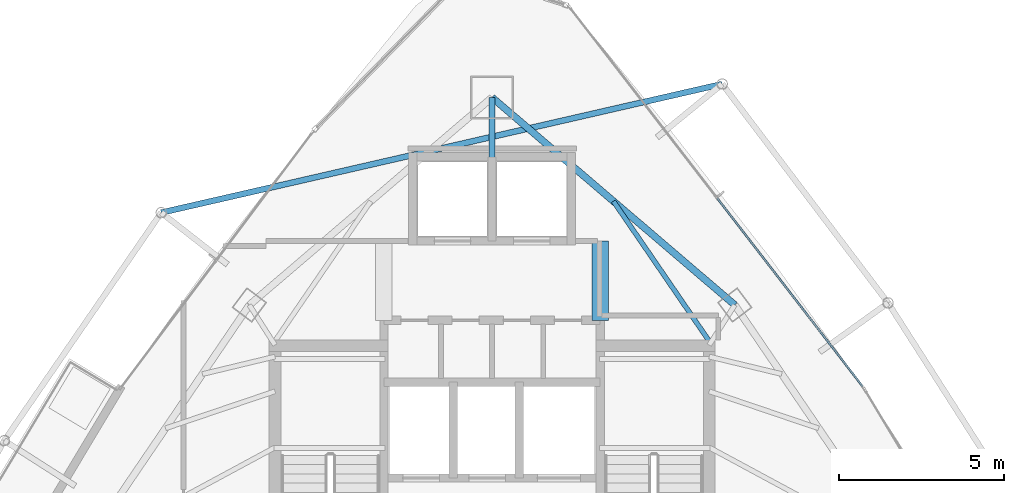
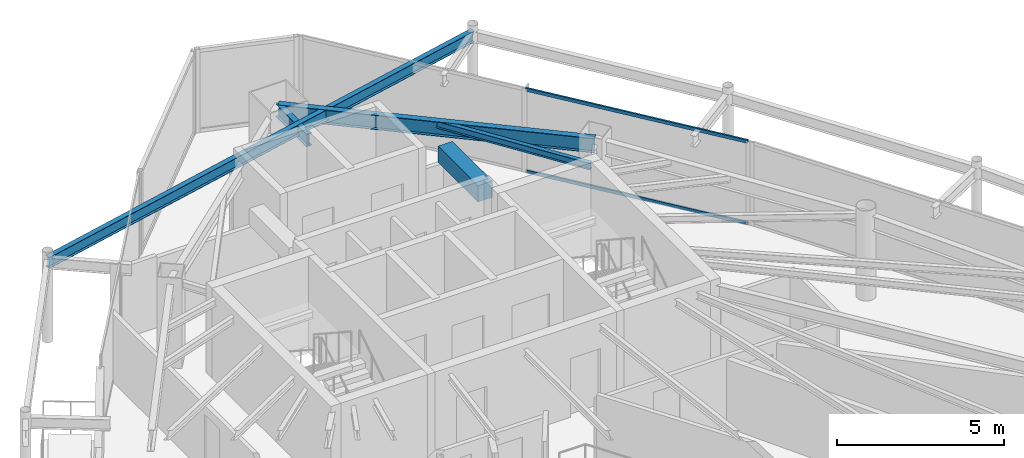
# One storey, part 21 of 29: 5 beams, 2 members, 1 element without a shape of its own.
"""IFC4 building model written with IfcOpenShell, lengths in metres."""

from ifc_helpers import new_model, si_unit, direction, frame, origin, origin_2d, place, context, subcontext, project, spatial, rectangle, hollow_rectangle, i_section, extrude, material, layer, layer_set, material_profile, profile_set, type_object, element, aggregate, save


model = new_model("IFC4")

# Units and contexts
model_context = context("Model", 3, precision=1e-05, world=origin(), true_north=direction((0.0, 1.0)))
body_context = subcontext(model_context, "Body", "Model", "MODEL_VIEW")
ifc_project = project(units=[si_unit("LENGTHUNIT", "METRE"), si_unit("AREAUNIT", "SQUARE_METRE"), si_unit("VOLUMEUNIT", "CUBIC_METRE"), si_unit("PLANEANGLEUNIT", "RADIAN"), si_unit("MASSUNIT", "GRAM", prefix="KILO")], contexts=[model_context])

# Site, building, storey
site_placement = place(None, origin())
site = spatial("IfcSite", under=ifc_project, at=site_placement, CompositionType="ELEMENT")
building_placement = place(site_placement, origin())
building = spatial("IfcBuilding", under=site, at=building_placement, Name="Orvanel Arch Residences", CompositionType="ELEMENT")
storey_placement = place(building_placement, frame((0.0, 0.0, 243.64990234375)))
storey = spatial("IfcBuildingStorey", under=building, at=storey_placement, Name="L69", CompositionType="ELEMENT", Elevation=243.64990234375)

# Beams
ifc_material_1 = material(Name="Structural steel AS/NZS 3679.1 Grade 300 (300 MPa)", Category="steel")
ifc_material_profile_1 = material_profile(ifc_material_1, i_section(OverallWidth=0.19091796875, OverallDepth=0.4599609375, WebThickness=0.010009765625, FlangeThickness=0.01611328125, at=origin_2d()), Name="460UB82.1")
ifc_profile_set_1 = profile_set([ifc_material_profile_1], Name="Structural steel AS/NZS 3679.1 Grade 300 (300 MPa)")
beam_type_1 = type_object("IfcBeamType", Name="BG-460UB", PredefinedType="BEAM", material=ifc_profile_set_1)
beam_1_placement = place(storey_placement, frame((33.0, 39.550048828125, 2.830078125), z_axis=(0.0, 1.0, 0.0), x_axis=(-1.0, 0.0, 0.0)))
element("IfcBeam", 1, at=beam_1_placement, inside=storey, type_object=beam_type_1, Name="L69 North Radial Girder", PredefinedType="BEAM", context=body_context, shape_type="SweptSolid", body=[
    extrude(i_section(OverallWidth=0.19091796875, OverallDepth=0.4599609375, WebThickness=0.010009765625, FlangeThickness=0.01611328125, at=origin_2d()), origin(), (0.0, 0.0, 1.0), 1.847900390625),
])
ifc_material_profile_2 = material_profile(ifc_material_1, i_section(OverallWidth=0.14599609375, OverallDepth=0.251953125, WebThickness=0.006103515625, FlangeThickness=0.008544921875, at=origin_2d()), Name="250UB31.4")
ifc_profile_set_2 = profile_set([ifc_material_profile_2], Name="Structural steel AS/NZS 3679.1 Grade 300 (300 MPa)")
beam_type_2 = type_object("IfcBeamType", Name="BJ-250UB", PredefinedType="JOIST", material=ifc_profile_set_2)
beam_2_placement = place(storey_placement, frame((39.574951171875, 34.02001953125, 2.93408203125), z_axis=(-0.564868085352, 0.825181220188, 0.0), x_axis=(-0.825181220188, -0.564868085352, 0.0)))
element("IfcBeam", 2, at=beam_2_placement, inside=storey, type_object=beam_type_2, Name="L69 NNE2 Wing Floor Joist", PredefinedType="JOIST", context=body_context, shape_type="SweptSolid", body=[
    extrude(i_section(OverallWidth=0.14599609375, OverallDepth=0.251953125, WebThickness=0.006103515625, FlangeThickness=0.008544921875, at=origin_2d()), origin(), (0.0, 0.0, 1.0), 5.132080078125),
])
ifc_material_2 = material(Name="Concrete S65 (65 MPa)", Category="concrete")
ifc_material_profile_3 = material_profile(ifc_material_2, rectangle(XDim=0.5, YDim=0.60009765625, at=origin_2d()), Name="RC500x600")
ifc_profile_set_3 = profile_set([ifc_material_profile_3], Name="Concrete S65 (65 MPa)")
beam_type_3 = type_object("IfcBeamType", Name="CB-500x600", PredefinedType="LINTEL", material=ifc_profile_set_3)
beam_3_placement = place(storey_placement, frame((36.27490234375, 34.64990234375, 2.760009765625), z_axis=(0.0, 1.0, 0.0), x_axis=(-1.0, 0.0, 0.0)))
element("IfcBeam", 3, at=beam_3_placement, inside=storey, type_object=beam_type_3, Name="L69 East Core Lobby Coupling Lintel Beam", PredefinedType="LINTEL", context=body_context, shape_type="SweptSolid", body=[
    extrude(rectangle(XDim=0.5, YDim=0.60009765625, at=origin_2d()), origin(), (0.0, 0.0, 1.0), 2.400146484375),
])
ifc_material_profile_4 = material_profile(ifc_material_1, i_section(OverallWidth=0.177978515625, OverallDepth=0.406005859375, WebThickness=0.0078125, FlangeThickness=0.0126953125, at=origin_2d()), Name="410UB59.7")
ifc_profile_set_4 = profile_set([ifc_material_profile_4], Name="Structural steel AS/NZS 3679.1 Grade 300 (300 MPa)")
beam_type_4 = type_object("IfcBeamType", Name="OB-410UB-EXT", PredefinedType="SPANDREL", material=ifc_profile_set_4)
beam_4_placement = place(storey_placement, frame((39.970947265625, 41.804931640625, 2.857177734375), z_axis=(-0.974719420946, -0.223432429227, 0.0), x_axis=(0.223432429227, -0.974719420946, 0.0)))
element("IfcBeam", 4, at=beam_4_placement, inside=storey, type_object=beam_type_4, Name="L69 Outer Perimeter Floor Ring Beam 12", PredefinedType="SPANDREL", context=body_context, shape_type="SweptSolid", body=[
    extrude(i_section(OverallWidth=0.177978515625, OverallDepth=0.406005859375, WebThickness=0.0078125, FlangeThickness=0.0126953125, at=origin_2d()), origin(), (0.0, 0.0, 1.0), 17.4326171875),
])
ifc_material_profile_5 = material_profile(ifc_material_1, i_section(OverallWidth=0.208984375, OverallDepth=0.532958984375, WebThickness=0.01025390625, FlangeThickness=0.015625, at=origin_2d()), Name="530UB92.4")
ifc_profile_set_5 = profile_set([ifc_material_profile_5], Name="Structural steel AS/NZS 3679.1 Grade 300 (300 MPa)")
beam_type_5 = type_object("IfcBeamType", Name="SP-530UB", PredefinedType="SPANDREL", material=ifc_profile_set_5)
beam_5_placement = place(storey_placement, frame((40.35205078125, 35.113037109375, 2.794189453125), z_axis=(-0.760116518398, 0.649786794617, 0.0), x_axis=(-0.649786794617, -0.760116518398, 0.0)))
element("IfcBeam", 5, at=beam_5_placement, inside=storey, type_object=beam_type_5, Name="L69 Perimeter Spandrel Beam 09", PredefinedType="SPANDREL", context=body_context, shape_type="SweptSolid", body=[
    extrude(i_section(OverallWidth=0.208984375, OverallDepth=0.532958984375, WebThickness=0.01025390625, FlangeThickness=0.015625, at=origin_2d()), origin(), (0.0, 0.0, 1.0), 9.67236328125),
])

# Curtain wall, members
ifc_material_3 = material(Name="Bronze-anodised aluminium AA6063-T6", Category="aluminium")
ifc_layer = layer(ifc_material_3, 0.175048828125)
ifc_layer_set = layer_set([ifc_layer], Name="Bronze-anodised aluminium AA6063-T6")
curtain_wall_type = type_object("IfcCurtainWallType", Name="CW4-HI-SYS", PredefinedType="NOTDEFINED", material=ifc_layer_set)
curtain_wall_placement = place(storey_placement, origin())
curtain_wall = element("IfcCurtainWall", 6, at=curtain_wall_placement, inside=storey, type_object=curtain_wall_type, Name="L69 CW4-HI-SYS Unitised Curtain Wall", PredefinedType="NOTDEFINED")
ifc_material_profile_6 = material_profile(ifc_material_3, hollow_rectangle(XDim=0.06005859375, YDim=0.1201171875, WallThickness=0.00341796875, at=origin_2d()), Name="ALU120x60x3.5")
ifc_profile_set_6 = profile_set([ifc_material_profile_6], Name="Bronze-anodised aluminium AA6063-T6")
member_type = type_object("IfcMemberType", Name="TRN-120x60", PredefinedType="USERDEFINED", material=ifc_profile_set_6)
member_1_placement = place(storey_placement, frame((44.223388671875, 32.6435546875, 0.030029296875), z_axis=(-0.611207438105, 0.791470446451, 0.0), x_axis=(-0.791470446451, -0.611207438105, 0.0)))
member_1 = element("IfcMember", 7, at=member_1_placement, type_object=member_type, Name="CW-S4 transom 1.1", ObjectType="TRANSOM", PredefinedType="USERDEFINED", context=body_context, shape_type="SweptSolid", body=[
    extrude(hollow_rectangle(XDim=0.06005859375, YDim=0.1201171875, WallThickness=0.00341796875, at=origin_2d()), origin(), (0.0, 0.0, 1.0), 7.2080078125),
])
member_2_placement = place(storey_placement, frame((44.223388671875, 32.6435546875, 3.030029296875), z_axis=(-0.611207438105, 0.791470446451, 0.0), x_axis=(-0.791470446451, -0.611207438105, 0.0)))
member_2 = element("IfcMember", 8, at=member_2_placement, type_object=member_type, Name="CW-S4 transom 1.2", ObjectType="TRANSOM", PredefinedType="USERDEFINED", context=body_context, shape_type="SweptSolid", body=[
    extrude(hollow_rectangle(XDim=0.06005859375, YDim=0.1201171875, WallThickness=0.00341796875, at=origin_2d()), origin(), (0.0, 0.0, 1.0), 7.2080078125),
])
aggregate(curtain_wall, [member_1, member_2])

save(model, "model.ifc")
